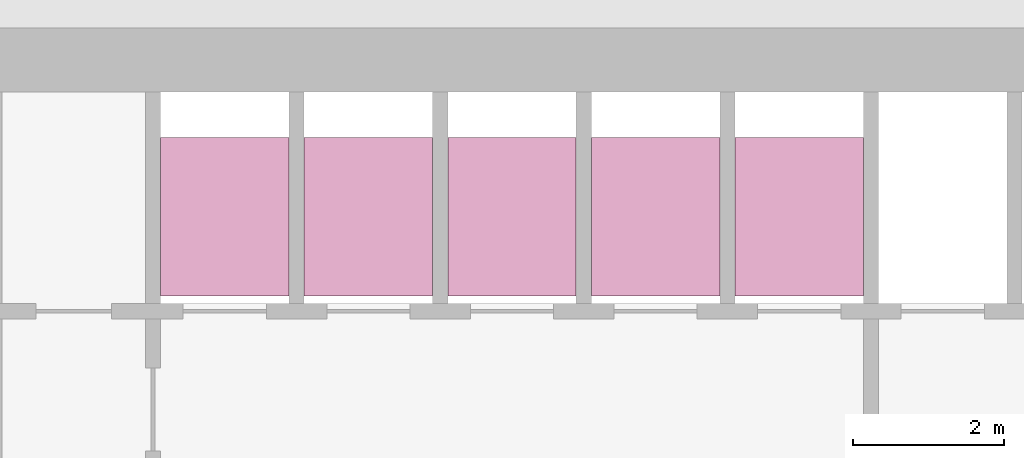
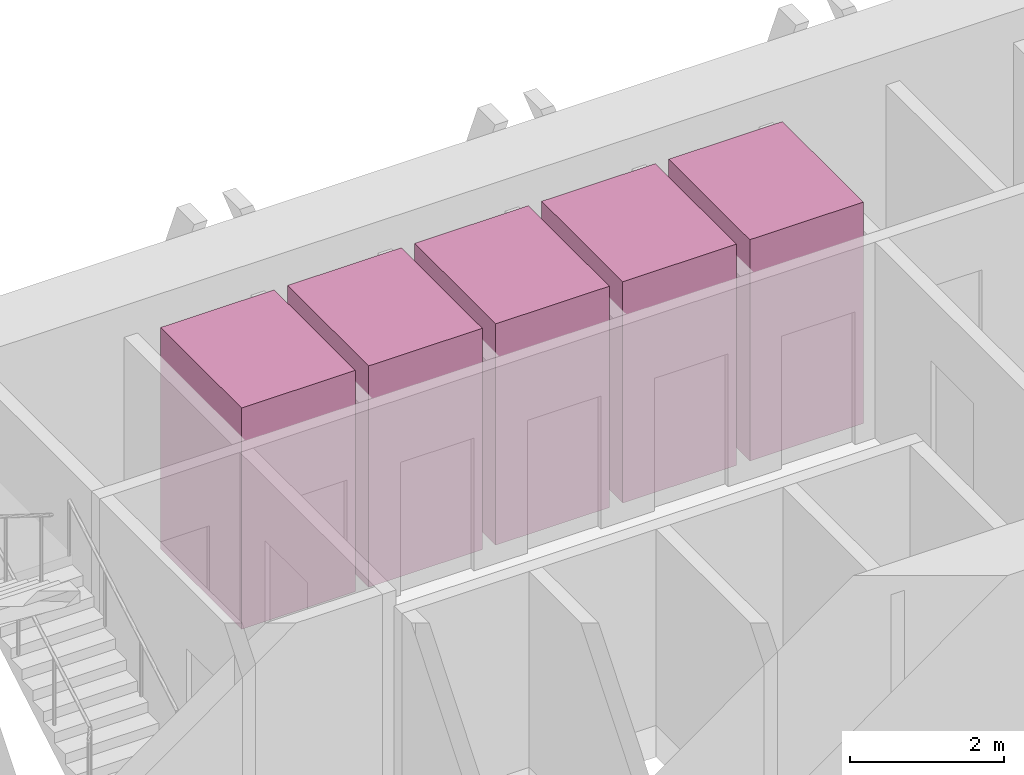
# One storey, part 24 of 24: 5 transport elements.
"""IFC4 building model written with IfcOpenShell, lengths in metres."""

import ifcopenshell
import ifcopenshell.guid

model = None  # the IFC model being written
_history = None  # IfcOwnerHistory: only IFC2X3 demands one
_inside = {}  # id of a spatial element -> (the spatial element, [elements in it])
_under = {}  # id of a project, library or spatial element -> (it, [spatial elements below it])
_declared = {}  # id of a project -> (the project, [libraries it declares])
_typed = {}  # id of a type object -> (the type object, [elements of that type])
_made_of = {}  # id of a material, layer set ... -> (it, [elements and type objects made of it])


def new_model(schema):
    """Start an empty IFC model of exactly this schema.

    Asked for "IFC4X3", IfcOpenShell would pick the latest addendum, in which some entities
    have other attributes; the version numbers below select the first issue.
    IFC2X3 requires an IfcOwnerHistory on every rooted entity: one is made here for all.
    """
    global model, _history
    if schema == "IFC4X3":
        model = ifcopenshell.file(schema_version=(4, 3, 0, 0))
    else:
        model = ifcopenshell.file(schema=schema)
    _inside.clear()
    _under.clear()
    _declared.clear()
    _typed.clear()
    _made_of.clear()
    _history = None
    if model.schema == "IFC2X3":
        org = make("IfcOrganization", Name="unknown")
        user = make(
            "IfcPersonAndOrganization",
            ThePerson=make("IfcPerson", FamilyName="unknown"),
            TheOrganization=org,
        )
        app = make(
            "IfcApplication",
            ApplicationDeveloper=org,
            Version="unknown",
            ApplicationFullName="unknown",
            ApplicationIdentifier="unknown",
        )
        _history = make(
            "IfcOwnerHistory",
            OwningUser=user,
            OwningApplication=app,
            ChangeAction="ADDED",
            CreationDate=0,
        )
    return model


def make(cls, **values):
    """One entity of the class cls with the attributes given. An attribute that is None is left unset."""
    return model.create_entity(
        cls, **{name: value for name, value in values.items() if value is not None}
    )


def rooted(cls, **values):
    """An entity with a GlobalId (a new one), such as an element, a storey or a relation."""
    return make(cls, GlobalId=ifcopenshell.guid.new(), OwnerHistory=_history, **values)


def si_unit(unit_type, name, prefix=None):
    """IfcSIUnit, for example si_unit("LENGTHUNIT", "METRE", prefix="MILLI")."""
    return make("IfcSIUnit", UnitType=unit_type, Prefix=prefix, Name=name)


def assignment(units):
    """IfcUnitAssignment: the units of a project."""
    return None if units is None else make("IfcUnitAssignment", Units=units)


def point(xyz):
    """IfcCartesianPoint."""
    return None if xyz is None else make("IfcCartesianPoint", Coordinates=xyz)


def direction(xyz):
    """IfcDirection."""
    return None if xyz is None else make("IfcDirection", DirectionRatios=xyz)


def frame(location, z_axis=None, x_axis=None):
    """IfcAxis2Placement3D, a coordinate frame: its origin and axes. An axis left out is left unset."""
    return make(
        "IfcAxis2Placement3D",
        Location=point(location),
        Axis=direction(z_axis),
        RefDirection=direction(x_axis),
    )


def frame_2d(location, x_axis=None):
    """IfcAxis2Placement2D, a coordinate frame in the plane: its origin and x axis."""
    return make(
        "IfcAxis2Placement2D", Location=point(location), RefDirection=direction(x_axis)
    )


def origin():
    """The frame at (0, 0, 0) with its axes left unset."""
    return frame((0.0, 0.0, 0.0))


def origin_2d():
    """The frame at (0, 0) in the plane with its x axis left unset."""
    return frame_2d((0.0, 0.0))


def place(relative_to, where):
    """IfcLocalPlacement: puts the frame where relative to a parent placement (None: the world)."""
    return make(
        "IfcLocalPlacement", PlacementRelTo=relative_to, RelativePlacement=where
    )


def context(
    kind, dimensions, precision=None, world=None, true_north=None, identifier=None
):
    """IfcGeometricRepresentationContext, for example the 3D "Model" context."""
    return make(
        "IfcGeometricRepresentationContext",
        ContextIdentifier=identifier,
        ContextType=kind,
        CoordinateSpaceDimension=dimensions,
        Precision=precision,
        WorldCoordinateSystem=world,
        TrueNorth=true_north,
    )


def subcontext(parent, identifier, kind, view, scale=None):
    """IfcGeometricRepresentationSubContext, for example "Body" below "Model"."""
    return make(
        "IfcGeometricRepresentationSubContext",
        ContextIdentifier=identifier,
        ContextType=kind,
        ParentContext=parent,
        TargetScale=scale,
        TargetView=view,
    )


def project(units=None, contexts=None):
    """IfcProject with its units and contexts."""
    return rooted(
        "IfcProject",
        Name="project",
        RepresentationContexts=contexts,
        UnitsInContext=assignment(units),
    )


def spatial(cls, under=None, at=None, **own):
    """A site, building, storey or space (cls), placed at a placement, below another one or the project."""
    s = rooted(cls, ObjectPlacement=at, **own)
    if under is not None:
        _under.setdefault(under.id(), (under, []))[1].append(s)
    return s


def profile(cls, at=None, kind="AREA", **sizes):
    """A parametric profile (cls). Its sizes go by their IFC names, for example OverallWidth=200.0."""
    return make(cls, ProfileType=kind, Position=at, **sizes)


def rectangle(**sizes):
    """IfcRectangleProfileDef."""
    return profile("IfcRectangleProfileDef", **sizes)


def extrude(swept, where, along, depth):
    """IfcExtrudedAreaSolid: the profile swept, set in the frame where, extruded along a direction by depth."""
    return make(
        "IfcExtrudedAreaSolid",
        SweptArea=swept,
        Position=where,
        ExtrudedDirection=direction(along),
        Depth=depth,
    )


def shape(context_of_items, identifier, shape_type, items):
    """IfcShapeRepresentation: the items that make up one representation, for example the "Body"."""
    return make(
        "IfcShapeRepresentation",
        ContextOfItems=context_of_items,
        RepresentationIdentifier=identifier,
        RepresentationType=shape_type,
        Items=items,
    )


def material(Name=None, Category=None):
    """IfcMaterial."""
    return make("IfcMaterial", Name=Name, Category=Category)


def made_of(thing, what):
    """Note that an element or type object is made of a material, layer set ...; save() writes the relation."""
    if what is not None:
        _made_of.setdefault(what.id(), (what, []))[1].append(thing)
    return thing


def type_object(cls, material=None, **own):
    """A type object (cls), such as IfcWallType, which elements share."""
    return made_of(rooted(cls, **own), material)


def element(
    cls,
    number,
    at=None,
    inside=None,
    cuts=None,
    type_object=None,
    material=None,
    context=None,
    identifier="Body",
    shape_type=None,
    held_by="IfcProductDefinitionShape",
    body=None,
    shapes=None,
    **own,
):
    """One element of the class cls, such as IfcWall. Its Tag is "e" and its number.

    at: its placement. inside: the storey or other place that contains it. cuts: it is an
    opening in that element (IfcRelVoidsElement). A single representation is given by context,
    identifier, shape_type and body (its items); several are given by shapes. held_by: the class
    of the entity that holds the representations. save() writes the other relations.
    """
    e = rooted(cls, Tag="e%d" % number, ObjectPlacement=at, **own)
    if body is not None:
        shapes = [shape(context, identifier, shape_type, body)]
    if shapes is not None:
        e.Representation = make(held_by, Representations=shapes)
    if inside is not None:
        _inside.setdefault(inside.id(), (inside, []))[1].append(e)
    if cuts is not None:
        rooted(
            "IfcRelVoidsElement", RelatingBuildingElement=cuts, RelatedOpeningElement=e
        )
    if type_object is not None:
        _typed.setdefault(type_object.id(), (type_object, []))[1].append(e)
    return made_of(e, material)


def aggregate(whole, parts):
    """IfcRelAggregates: a whole, such as a stair, and the parts it consists of."""
    return rooted("IfcRelAggregates", RelatingObject=whole, RelatedObjects=parts)


def save(model, path):
    """Write the relations noted so far, then the file.

    IfcRelAggregates (storeys below a building ...), IfcRelContainedInSpatialStructure (elements
    in a storey), IfcRelDefinesByType, IfcRelAssociatesMaterial and IfcRelDeclares: one each for
    every whole, place, type object, material and project.
    """
    for whole, parts in _under.values():
        aggregate(whole, parts)
    for where, things in _inside.values():
        rooted(
            "IfcRelContainedInSpatialStructure",
            RelatedElements=things,
            RelatingStructure=where,
        )
    for kind, things in _typed.values():
        rooted("IfcRelDefinesByType", RelatedObjects=things, RelatingType=kind)
    for what, things in _made_of.values():
        rooted("IfcRelAssociatesMaterial", RelatedObjects=things, RelatingMaterial=what)
    for by, libraries in _declared.values():
        rooted("IfcRelDeclares", RelatingContext=by, RelatedDefinitions=libraries)
    model.write(path)


model = new_model("IFC4")

# Units and contexts
model_context = context("Model", 3, precision=1e-05, world=origin(), true_north=direction((0.0, 1.0)))
body_context = subcontext(model_context, "Body", "Model", "MODEL_VIEW")
ifc_project = project(units=[si_unit("LENGTHUNIT", "METRE"), si_unit("AREAUNIT", "SQUARE_METRE"), si_unit("VOLUMEUNIT", "CUBIC_METRE"), si_unit("PLANEANGLEUNIT", "RADIAN"), si_unit("MASSUNIT", "GRAM", prefix="KILO")], contexts=[model_context])

# Site, building, storey
site_placement = place(None, origin())
site = spatial("IfcSite", under=ifc_project, at=site_placement, CompositionType="ELEMENT")
building_placement = place(site_placement, origin())
building = spatial("IfcBuilding", under=site, at=building_placement, Name="Altiplano Prism Tower", CompositionType="ELEMENT")
storey_placement = place(building_placement, frame((0.0, 0.0, 27.0)))
storey = spatial("IfcBuildingStorey", under=building, at=storey_placement, Name="L05", CompositionType="ELEMENT", Elevation=27.0)

# Transport elements
ifc_material = material(Name="Stainless steel lift car", Category="steel")
transport_element_type = type_object("IfcTransportElementType", Name="Passenger lift car 1600 x 2100", PredefinedType="ELEVATOR", material=ifc_material)
for number, where, z_axis, x_axis, name in (
    (1, (79.050048828125, 101.75, 0.050048828125), (0.0, 0.0, 1.0), (1.0, 0.0, 0.0), "Low Zone Passenger Lift 1"),
    (2, (80.949951171875, 101.75, 0.050048828125), (0.0, 0.0, 1.0), (1.0, 0.0, 0.0), "Low Zone Passenger Lift 2"),
    (3, (82.85009765625, 101.75, 0.050048828125), (0.0, 0.0, 1.0), (1.0, 0.0, 0.0), "Low Zone Passenger Lift 3"),
    (4, (84.75, 101.75, 0.050048828125), (0.0, 0.0, 1.0), (1.0, 0.0, 0.0), "Low Zone Passenger Lift 4"),
    (5, (86.64990234375, 101.75, 0.050048828125), (0.0, 0.0, 1.0), (1.0, 0.0, 0.0), "Low Zone Passenger Lift 5"),
):
    element("IfcTransportElement", number, at=place(storey_placement, frame(where, z_axis=z_axis, x_axis=x_axis)), inside=storey, type_object=transport_element_type, Name=name, PredefinedType="ELEVATOR", context=body_context, shape_type="SweptSolid", body=[
        extrude(rectangle(XDim=1.699951171875, YDim=2.10009765625, at=origin_2d()), origin(), (0.0, 0.0, 1.0), 3.5),
    ])

save(model, "model.ifc")
